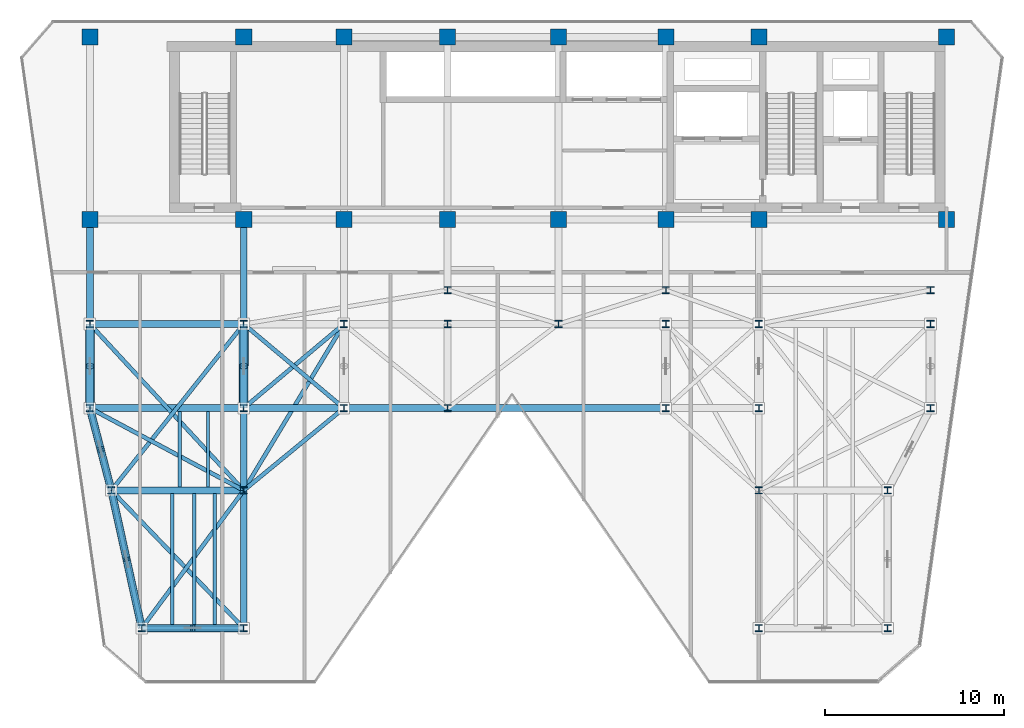
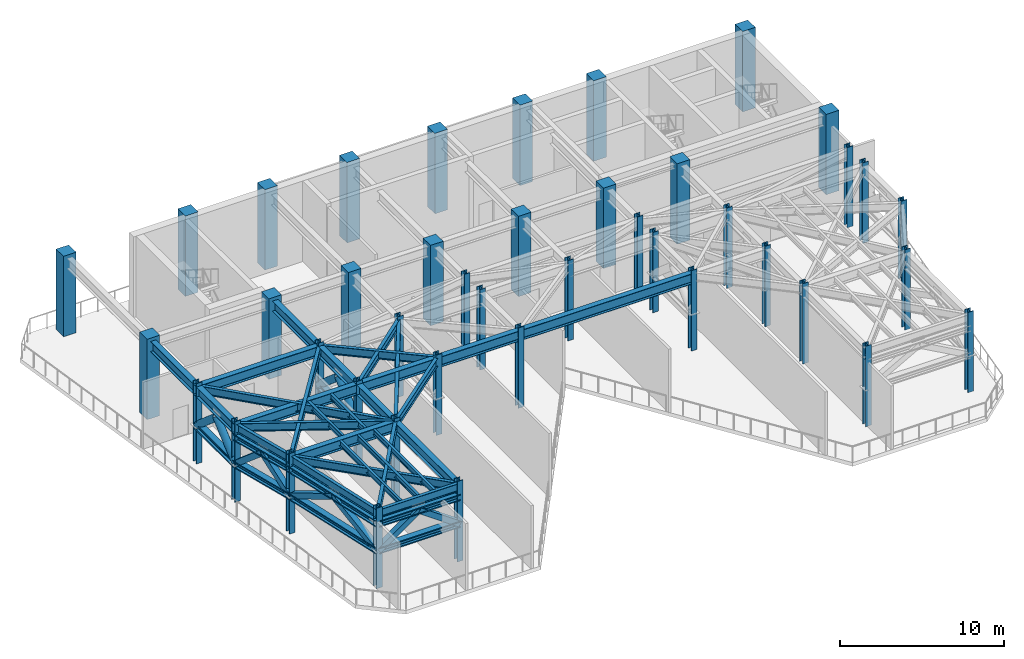
# One storey, part 1 of 12: 42 columns, 29 beams, 18 members.
"""IFC4 building model written with IfcOpenShell, lengths in metres."""

import ifcopenshell
import ifcopenshell.guid

model = None  # the IFC model being written
_history = None  # IfcOwnerHistory: only IFC2X3 demands one
_inside = {}  # id of a spatial element -> (the spatial element, [elements in it])
_under = {}  # id of a project, library or spatial element -> (it, [spatial elements below it])
_declared = {}  # id of a project -> (the project, [libraries it declares])
_typed = {}  # id of a type object -> (the type object, [elements of that type])
_made_of = {}  # id of a material, layer set ... -> (it, [elements and type objects made of it])


def new_model(schema):
    """Start an empty IFC model of exactly this schema.

    Asked for "IFC4X3", IfcOpenShell would pick the latest addendum, in which some entities
    have other attributes; the version numbers below select the first issue.
    IFC2X3 requires an IfcOwnerHistory on every rooted entity: one is made here for all.
    """
    global model, _history
    if schema == "IFC4X3":
        model = ifcopenshell.file(schema_version=(4, 3, 0, 0))
    else:
        model = ifcopenshell.file(schema=schema)
    _inside.clear()
    _under.clear()
    _declared.clear()
    _typed.clear()
    _made_of.clear()
    _history = None
    if model.schema == "IFC2X3":
        org = make("IfcOrganization", Name="unknown")
        user = make(
            "IfcPersonAndOrganization",
            ThePerson=make("IfcPerson", FamilyName="unknown"),
            TheOrganization=org,
        )
        app = make(
            "IfcApplication",
            ApplicationDeveloper=org,
            Version="unknown",
            ApplicationFullName="unknown",
            ApplicationIdentifier="unknown",
        )
        _history = make(
            "IfcOwnerHistory",
            OwningUser=user,
            OwningApplication=app,
            ChangeAction="ADDED",
            CreationDate=0,
        )
    return model


def make(cls, **values):
    """One entity of the class cls with the attributes given. An attribute that is None is left unset."""
    return model.create_entity(
        cls, **{name: value for name, value in values.items() if value is not None}
    )


def rooted(cls, **values):
    """An entity with a GlobalId (a new one), such as an element, a storey or a relation."""
    return make(cls, GlobalId=ifcopenshell.guid.new(), OwnerHistory=_history, **values)


def si_unit(unit_type, name, prefix=None):
    """IfcSIUnit, for example si_unit("LENGTHUNIT", "METRE", prefix="MILLI")."""
    return make("IfcSIUnit", UnitType=unit_type, Prefix=prefix, Name=name)


def assignment(units):
    """IfcUnitAssignment: the units of a project."""
    return None if units is None else make("IfcUnitAssignment", Units=units)


def point(xyz):
    """IfcCartesianPoint."""
    return None if xyz is None else make("IfcCartesianPoint", Coordinates=xyz)


def direction(xyz):
    """IfcDirection."""
    return None if xyz is None else make("IfcDirection", DirectionRatios=xyz)


def frame(location, z_axis=None, x_axis=None):
    """IfcAxis2Placement3D, a coordinate frame: its origin and axes. An axis left out is left unset."""
    return make(
        "IfcAxis2Placement3D",
        Location=point(location),
        Axis=direction(z_axis),
        RefDirection=direction(x_axis),
    )


def frame_2d(location, x_axis=None):
    """IfcAxis2Placement2D, a coordinate frame in the plane: its origin and x axis."""
    return make(
        "IfcAxis2Placement2D", Location=point(location), RefDirection=direction(x_axis)
    )


def origin():
    """The frame at (0, 0, 0) with its axes left unset."""
    return frame((0.0, 0.0, 0.0))


def origin_2d():
    """The frame at (0, 0) in the plane with its x axis left unset."""
    return frame_2d((0.0, 0.0))


def place(relative_to, where):
    """IfcLocalPlacement: puts the frame where relative to a parent placement (None: the world)."""
    return make(
        "IfcLocalPlacement", PlacementRelTo=relative_to, RelativePlacement=where
    )


def context(
    kind, dimensions, precision=None, world=None, true_north=None, identifier=None
):
    """IfcGeometricRepresentationContext, for example the 3D "Model" context."""
    return make(
        "IfcGeometricRepresentationContext",
        ContextIdentifier=identifier,
        ContextType=kind,
        CoordinateSpaceDimension=dimensions,
        Precision=precision,
        WorldCoordinateSystem=world,
        TrueNorth=true_north,
    )


def subcontext(parent, identifier, kind, view, scale=None):
    """IfcGeometricRepresentationSubContext, for example "Body" below "Model"."""
    return make(
        "IfcGeometricRepresentationSubContext",
        ContextIdentifier=identifier,
        ContextType=kind,
        ParentContext=parent,
        TargetScale=scale,
        TargetView=view,
    )


def project(units=None, contexts=None):
    """IfcProject with its units and contexts."""
    return rooted(
        "IfcProject",
        Name="project",
        RepresentationContexts=contexts,
        UnitsInContext=assignment(units),
    )


def spatial(cls, under=None, at=None, **own):
    """A site, building, storey or space (cls), placed at a placement, below another one or the project."""
    s = rooted(cls, ObjectPlacement=at, **own)
    if under is not None:
        _under.setdefault(under.id(), (under, []))[1].append(s)
    return s


def profile(cls, at=None, kind="AREA", **sizes):
    """A parametric profile (cls). Its sizes go by their IFC names, for example OverallWidth=200.0."""
    return make(cls, ProfileType=kind, Position=at, **sizes)


def rectangle(**sizes):
    """IfcRectangleProfileDef."""
    return profile("IfcRectangleProfileDef", **sizes)


def hollow_rectangle(**sizes):
    """IfcRectangleHollowProfileDef."""
    return profile("IfcRectangleHollowProfileDef", **sizes)


def hollow_circle(**sizes):
    """IfcCircleHollowProfileDef."""
    return profile("IfcCircleHollowProfileDef", **sizes)


def i_section(**sizes):
    """IfcIShapeProfileDef."""
    return profile("IfcIShapeProfileDef", **sizes)


def extrude(swept, where, along, depth):
    """IfcExtrudedAreaSolid: the profile swept, set in the frame where, extruded along a direction by depth."""
    return make(
        "IfcExtrudedAreaSolid",
        SweptArea=swept,
        Position=where,
        ExtrudedDirection=direction(along),
        Depth=depth,
    )


def shape(context_of_items, identifier, shape_type, items):
    """IfcShapeRepresentation: the items that make up one representation, for example the "Body"."""
    return make(
        "IfcShapeRepresentation",
        ContextOfItems=context_of_items,
        RepresentationIdentifier=identifier,
        RepresentationType=shape_type,
        Items=items,
    )


def material(Name=None, Category=None):
    """IfcMaterial."""
    return make("IfcMaterial", Name=Name, Category=Category)


def material_profile(
    of_material, cross_section, Name=None, Category=None, Priority=None
):
    """IfcMaterialProfile: a cross section and its material."""
    return make(
        "IfcMaterialProfile",
        Name=Name,
        Material=of_material,
        Profile=cross_section,
        Priority=Priority,
        Category=Category,
    )


def profile_set(profiles, Name=None, composite=None):
    """IfcMaterialProfileSet."""
    return make(
        "IfcMaterialProfileSet",
        Name=Name,
        MaterialProfiles=profiles,
        CompositeProfile=composite,
    )


def made_of(thing, what):
    """Note that an element or type object is made of a material, layer set ...; save() writes the relation."""
    if what is not None:
        _made_of.setdefault(what.id(), (what, []))[1].append(thing)
    return thing


def type_object(cls, material=None, **own):
    """A type object (cls), such as IfcWallType, which elements share."""
    return made_of(rooted(cls, **own), material)


def element(
    cls,
    number,
    at=None,
    inside=None,
    cuts=None,
    type_object=None,
    material=None,
    context=None,
    identifier="Body",
    shape_type=None,
    held_by="IfcProductDefinitionShape",
    body=None,
    shapes=None,
    **own,
):
    """One element of the class cls, such as IfcWall. Its Tag is "e" and its number.

    at: its placement. inside: the storey or other place that contains it. cuts: it is an
    opening in that element (IfcRelVoidsElement). A single representation is given by context,
    identifier, shape_type and body (its items); several are given by shapes. held_by: the class
    of the entity that holds the representations. save() writes the other relations.
    """
    e = rooted(cls, Tag="e%d" % number, ObjectPlacement=at, **own)
    if body is not None:
        shapes = [shape(context, identifier, shape_type, body)]
    if shapes is not None:
        e.Representation = make(held_by, Representations=shapes)
    if inside is not None:
        _inside.setdefault(inside.id(), (inside, []))[1].append(e)
    if cuts is not None:
        rooted(
            "IfcRelVoidsElement", RelatingBuildingElement=cuts, RelatedOpeningElement=e
        )
    if type_object is not None:
        _typed.setdefault(type_object.id(), (type_object, []))[1].append(e)
    return made_of(e, material)


def aggregate(whole, parts):
    """IfcRelAggregates: a whole, such as a stair, and the parts it consists of."""
    return rooted("IfcRelAggregates", RelatingObject=whole, RelatedObjects=parts)


def save(model, path):
    """Write the relations noted so far, then the file.

    IfcRelAggregates (storeys below a building ...), IfcRelContainedInSpatialStructure (elements
    in a storey), IfcRelDefinesByType, IfcRelAssociatesMaterial and IfcRelDeclares: one each for
    every whole, place, type object, material and project.
    """
    for whole, parts in _under.values():
        aggregate(whole, parts)
    for where, things in _inside.values():
        rooted(
            "IfcRelContainedInSpatialStructure",
            RelatedElements=things,
            RelatingStructure=where,
        )
    for kind, things in _typed.values():
        rooted("IfcRelDefinesByType", RelatedObjects=things, RelatingType=kind)
    for what, things in _made_of.values():
        rooted("IfcRelAssociatesMaterial", RelatedObjects=things, RelatingMaterial=what)
    for by, libraries in _declared.values():
        rooted("IfcRelDeclares", RelatingContext=by, RelatedDefinitions=libraries)
    model.write(path)


model = new_model("IFC4")

# Units and contexts
model_context = context("Model", 3, precision=1e-05, world=origin(), true_north=direction((0.0, 1.0)))
body_context = subcontext(model_context, "Body", "Model", "MODEL_VIEW")
ifc_project = project(units=[si_unit("LENGTHUNIT", "METRE"), si_unit("AREAUNIT", "SQUARE_METRE"), si_unit("VOLUMEUNIT", "CUBIC_METRE"), si_unit("PLANEANGLEUNIT", "RADIAN"), si_unit("MASSUNIT", "GRAM", prefix="KILO")], contexts=[model_context])

# Site, building, storey
site_placement = place(None, origin())
site = spatial("IfcSite", under=ifc_project, at=site_placement, CompositionType="ELEMENT")
building_placement = place(site_placement, origin())
building = spatial("IfcBuilding", under=site, at=building_placement, Name="Kravanh Interchange Tower", CompositionType="ELEMENT")
storey_placement = place(building_placement, frame((0.0, 0.0, 225.0)))
storey = spatial("IfcBuildingStorey", under=building, at=storey_placement, Name="L54", CompositionType="ELEMENT", Elevation=225.0)

# Columns
ifc_material_1 = material(Name="Concrete C60/75", Category="concrete")
ifc_material_profile_1 = material_profile(ifc_material_1, rectangle(XDim=0.89990234375, YDim=0.89990234375, at=origin_2d()), Name="RC900X900")
ifc_profile_set_1 = profile_set([ifc_material_profile_1], Name="Concrete C60/75")
column_type_1 = type_object("IfcColumnType", Name="Column RC900X900 Concrete C60/75", PredefinedType="COLUMN", material=ifc_profile_set_1)
for number, where, z_axis, x_axis, name in (
    (1, (66.5, 47.550048828125, 0.0), (0.0, 0.0, 1.0), (1.0, 0.0, 0.0), "L54 Column CS01"),
    (2, (56.0, 47.550048828125, 0.0), (0.0, 0.0, 1.0), (1.0, 0.0, 0.0), "L54 Column CS02"),
    (3, (66.5, 37.35009765625, 0.0), (0.0, 0.0, 1.0), (1.0, 0.0, 0.0), "L54 Column CS03"),
    (4, (56.0, 37.35009765625, 0.0), (0.0, 0.0, 1.0), (1.0, 0.0, 0.0), "L54 Column CS04"),
    (5, (50.800048828125, 47.550048828125, 0.0), (0.0, 0.0, 1.0), (1.0, 0.0, 0.0), "L54 Column CS05"),
    (6, (50.800048828125, 37.35009765625, 0.0), (0.0, 0.0, 1.0), (1.0, 0.0, 0.0), "L54 Column CS06"),
    (7, (44.800048828125, 37.35009765625, 0.0), (0.0, 0.0, 1.0), (1.0, 0.0, 0.0), "L54 Column CS07"),
    (8, (44.800048828125, 47.550048828125, 0.0), (0.0, 0.0, 1.0), (1.0, 0.0, 0.0), "L54 Column CS08"),
    (9, (38.60009765625, 37.35009765625, 0.0), (0.0, 0.0, 1.0), (1.0, 0.0, 0.0), "L54 Column CS09"),
    (10, (38.60009765625, 47.550048828125, 0.0), (0.0, 0.0, 1.0), (1.0, 0.0, 0.0), "L54 Column CS10"),
    (11, (32.800048828125, 37.35009765625, 0.0), (0.0, 0.0, 1.0), (1.0, 0.0, 0.0), "L54 Column CS11"),
    (12, (32.800048828125, 47.550048828125, 0.0), (0.0, 0.0, 1.0), (1.0, 0.0, 0.0), "L54 Column CS12"),
    (13, (27.199951171875, 37.35009765625, 0.0), (0.0, 0.0, 1.0), (1.0, 0.0, 0.0), "L54 Column CS13"),
    (14, (27.199951171875, 47.550048828125, 0.0), (0.0, 0.0, 1.0), (1.0, 0.0, 0.0), "L54 Column CS14"),
    (15, (18.60009765625, 37.35009765625, 0.0), (0.0, 0.0, 1.0), (1.0, 0.0, 0.0), "L54 Column CS17"),
    (16, (18.60009765625, 47.550048828125, 0.0), (0.0, 0.0, 1.0), (1.0, 0.0, 0.0), "L54 Column CS18"),
):
    element("IfcColumn", number, at=place(storey_placement, frame(where, z_axis=z_axis, x_axis=x_axis)), inside=storey, type_object=column_type_1, Name=name, PredefinedType="COLUMN", context=body_context, shape_type="SweptSolid", body=[
        extrude(rectangle(XDim=0.89990234375, YDim=0.89990234375, at=origin_2d()), origin(), (0.0, 0.0, 1.0), 6.0),
    ])
ifc_material_2 = material(Name="Structural Steel S355", Category="steel")
ifc_material_profile_2 = material_profile(ifc_material_2, i_section(OverallWidth=0.40087890625, OverallDepth=0.39892578125, WebThickness=0.02490234375, FlangeThickness=0.03955078125, FilletRadius=0.030029296875, at=origin_2d()), Name="W14X211")
ifc_profile_set_2 = profile_set([ifc_material_profile_2], Name="Structural Steel S355")
column_type_2 = type_object("IfcColumnType", Name="Column W14X211 Structural Steel S355", PredefinedType="COLUMN", material=ifc_profile_set_2)
for number, where, z_axis, x_axis, name in (
    (17, (21.5, 14.5, 0.0), (0.0, 0.0, 1.0), (1.0, 0.0, 0.0), "L54 Column CZ3_1"),
    (18, (18.60009765625, 26.800048828125, 0.0), (0.0, 0.0, 1.0), (1.0, 0.0, 0.0), "L54 Column CZ3_11"),
    (19, (27.199951171875, 26.800048828125, 0.0), (0.0, 0.0, 1.0), (1.0, 0.0, 0.0), "L54 Column CZ3_12"),
    (20, (32.800048828125, 26.800048828125, 0.0), (0.0, 0.0, 1.0), (1.0, 0.0, 0.0), "L54 Column CZ3_13"),
    (21, (38.60009765625, 26.800048828125, 0.0), (0.0, 0.0, 1.0), (1.0, 0.0, 0.0), "L54 Column CZ3_13B"),
    (22, (50.800048828125, 26.800048828125, 0.0), (0.0, 0.0, 1.0), (1.0, 0.0, 0.0), "L54 Column CZ3_14"),
    (23, (56.0, 26.800048828125, 0.0), (0.0, 0.0, 1.0), (1.0, 0.0, 0.0), "L54 Column CZ3_15"),
    (24, (65.60009765625, 26.800048828125, 0.0), (0.0, 0.0, 1.0), (1.0, 0.0, 0.0), "L54 Column CZ3_16"),
    (25, (18.60009765625, 31.5, 0.0), (0.0, 0.0, 1.0), (1.0, 0.0, 0.0), "L54 Column CZ3_17"),
    (26, (27.199951171875, 31.5, 0.0), (0.0, 0.0, 1.0), (1.0, 0.0, 0.0), "L54 Column CZ3_18"),
    (27, (32.800048828125, 31.5, 0.0), (0.0, 0.0, 1.0), (1.0, 0.0, 0.0), "L54 Column CZ3_19"),
    (28, (27.199951171875, 14.5, 0.0), (0.0, 0.0, 1.0), (1.0, 0.0, 0.0), "L54 Column CZ3_2"),
    (29, (38.60009765625, 31.5, 0.0), (0.0, 0.0, 1.0), (1.0, 0.0, 0.0), "L54 Column CZ3_20"),
    (30, (44.800048828125, 31.5, 0.0), (0.0, 0.0, 1.0), (1.0, 0.0, 0.0), "L54 Column CZ3_21"),
    (31, (50.800048828125, 31.5, 0.0), (0.0, 0.0, 1.0), (1.0, 0.0, 0.0), "L54 Column CZ3_22"),
    (32, (56.0, 31.5, 0.0), (0.0, 0.0, 1.0), (1.0, 0.0, 0.0), "L54 Column CZ3_23"),
    (33, (65.60009765625, 31.5, 0.0), (0.0, 0.0, 1.0), (1.0, 0.0, 0.0), "L54 Column CZ3_24"),
    (34, (56.0, 14.5, 0.0), (0.0, 0.0, 1.0), (1.0, 0.0, 0.0), "L54 Column CZ3_3"),
    (35, (63.199951171875, 14.5, 0.0), (0.0, 0.0, 1.0), (1.0, 0.0, 0.0), "L54 Column CZ3_4"),
    (36, (19.800048828125, 22.199951171875, 0.0), (0.0, 0.0, 1.0), (1.0, 0.0, 0.0), "L54 Column CZ3_5"),
    (37, (27.199951171875, 22.199951171875, 0.0), (0.0, 0.0, 1.0), (1.0, 0.0, 0.0), "L54 Column CZ3_6"),
    (38, (56.0, 22.199951171875, 0.0), (0.0, 0.0, 1.0), (1.0, 0.0, 0.0), "L54 Column CZ3_8"),
    (39, (63.199951171875, 22.199951171875, 0.0), (0.0, 0.0, 1.0), (1.0, 0.0, 0.0), "L54 Column CZ3_9"),
    (40, (38.60009765625, 33.39990234375, 0.0), (0.0, 0.0, 1.0), (1.0, 0.0, 0.0), "L54 Column CZ3_M1"),
    (41, (50.800048828125, 33.39990234375, 0.0), (0.0, 0.0, 1.0), (1.0, 0.0, 0.0), "L54 Column CZ3_M2"),
    (42, (65.60009765625, 33.39990234375, 0.0), (0.0, 0.0, 1.0), (1.0, 0.0, 0.0), "L54 Column CZ3_M3"),
):
    element("IfcColumn", number, at=place(storey_placement, frame(where, z_axis=z_axis, x_axis=x_axis)), inside=storey, type_object=column_type_2, Name=name, PredefinedType="COLUMN", context=body_context, shape_type="SweptSolid", body=[
        extrude(i_section(OverallWidth=0.40087890625, OverallDepth=0.39892578125, WebThickness=0.02490234375, FlangeThickness=0.03955078125, FilletRadius=0.030029296875, at=origin_2d()), origin(), (0.0, 0.0, 1.0), 6.0),
    ])

# Members
ifc_material_3 = material(Name="Structural Steel S450", Category="steel")
ifc_material_profile_3 = material_profile(ifc_material_3, i_section(OverallWidth=0.424072265625, OverallDepth=0.47412109375, WebThickness=0.047607421875, FlangeThickness=0.0771484375, FilletRadius=0.030029296875, at=origin_2d()), Name="W14X426")
ifc_profile_set_3 = profile_set([ifc_material_profile_3], Name="Structural Steel S450")
member_type_1 = type_object("IfcMemberType", Name="Belt Truss Chord W14X426 Structural Steel S450", PredefinedType="CHORD", material=ifc_profile_set_3)
for number, where, z_axis, x_axis, name in (
    (43, (21.5, 14.5, 2.75), (1.0, 0.0, 0.0), (0.0, 1.0, 0.0), "L54 BELT TRUSS BOTTOM CHORD 1"),
    (44, (21.5, 14.5, 4.757080078125), (1.0, 0.0, 0.0), (0.0, 1.0, 0.0), "L54 BELT TRUSS TOP CHORD 1"),
):
    element("IfcMember", number, at=place(storey_placement, frame(where, z_axis=z_axis, x_axis=x_axis)), inside=storey, type_object=member_type_1, Name=name, PredefinedType="CHORD", context=body_context, shape_type="SweptSolid", body=[
        extrude(i_section(OverallWidth=0.424072265625, OverallDepth=0.47412109375, WebThickness=0.047607421875, FlangeThickness=0.0771484375, FilletRadius=0.030029296875, at=origin_2d()), origin(), (0.0, 0.0, 1.0), 5.699951171875),
    ])
for number, where, z_axis, x_axis, name in (
    (45, (21.5, 14.5, 2.75), (-0.215582892261, 0.976485543449, 0.0), (-0.976485543449, -0.215582892261, 0.0), "L54 BELT TRUSS BOTTOM CHORD 3"),
    (46, (21.5, 14.5, 4.757080078125), (-0.215582892261, 0.976485543449, 0.0), (-0.976485543449, -0.215582892261, 0.0), "L54 BELT TRUSS TOP CHORD 3"),
):
    element("IfcMember", number, at=place(storey_placement, frame(where, z_axis=z_axis, x_axis=x_axis)), inside=storey, type_object=member_type_1, Name=name, PredefinedType="CHORD", context=body_context, shape_type="SweptSolid", body=[
        extrude(i_section(OverallWidth=0.424072265625, OverallDepth=0.47412109375, WebThickness=0.047607421875, FlangeThickness=0.0771484375, FilletRadius=0.030029296875, at=origin_2d()), origin(), (0.0, 0.0, 1.0), 7.88525390625),
    ])
for number, where, z_axis, x_axis, name in (
    (47, (19.800048828125, 22.199951171875, 2.75), (-0.252407263364, 0.967621089787, 0.0), (-0.967621089787, -0.252407263364, 0.0), "L54 BELT TRUSS BOTTOM CHORD 4"),
    (48, (19.800048828125, 22.199951171875, 4.757080078125), (-0.252407263364, 0.967621089787, 0.0), (-0.967621089787, -0.252407263364, 0.0), "L54 BELT TRUSS TOP CHORD 4"),
):
    element("IfcMember", number, at=place(storey_placement, frame(where, z_axis=z_axis, x_axis=x_axis)), inside=storey, type_object=member_type_1, Name=name, PredefinedType="CHORD", context=body_context, shape_type="SweptSolid", body=[
        extrude(i_section(OverallWidth=0.424072265625, OverallDepth=0.47412109375, WebThickness=0.047607421875, FlangeThickness=0.0771484375, FilletRadius=0.030029296875, at=origin_2d()), origin(), (0.0, 0.0, 1.0), 4.75390625),
    ])
ifc_material_4 = material(Name="Structural Steel S450", Category="steel")
ifc_material_profile_4 = material_profile(ifc_material_4, hollow_rectangle(XDim=0.39990234375, YDim=0.39990234375, WallThickness=0.01611328125, at=origin_2d()), Name="HSS400X400X16")
ifc_profile_set_4 = profile_set([ifc_material_profile_4], Name="Structural Steel S450")
member_type_2 = type_object("IfcMemberType", Name="Belt Truss Diagonal HSS400X400X16 Structural Steel S450", PredefinedType="BRACE", material=ifc_profile_set_4)
member_1_placement = place(storey_placement, frame((21.5, 14.5, 2.75), z_axis=(0.817609818734, 0.0, 0.575772684582), x_axis=(0.0, 1.0, 0.0)))
element("IfcMember", 49, at=member_1_placement, inside=storey, type_object=member_type_2, Name="L54 BELT TRUSS DIAGONAL 1A", PredefinedType="BRACE", context=body_context, shape_type="SweptSolid", body=[
    extrude(hollow_rectangle(XDim=0.39990234375, YDim=0.39990234375, WallThickness=0.01611328125, at=origin_2d()), origin(), (0.0, 0.0, 1.0), 3.48583984375),
])
member_2_placement = place(storey_placement, frame((27.199951171875, 14.5, 2.75), z_axis=(-0.81758659854, 0.0, 0.575805656352), x_axis=(0.0, -1.0, 0.0)))
element("IfcMember", 50, at=member_2_placement, inside=storey, type_object=member_type_2, Name="L54 BELT TRUSS DIAGONAL 1B", PredefinedType="BRACE", context=body_context, shape_type="SweptSolid", body=[
    extrude(hollow_rectangle(XDim=0.39990234375, YDim=0.39990234375, WallThickness=0.01611328125, at=origin_2d()), origin(), (0.0, 0.0, 1.0), 3.485595703125),
])
member_3_placement = place(storey_placement, frame((21.5, 14.5, 2.75), z_axis=(-0.192143557416, 0.870219385539, 0.453650828695), x_axis=(-0.976480464563, -0.215605895853, 0.0)))
element("IfcMember", 51, at=member_3_placement, inside=storey, type_object=member_type_2, Name="L54 BELT TRUSS DIAGONAL 3A", PredefinedType="BRACE", context=body_context, shape_type="SweptSolid", body=[
    extrude(hollow_rectangle(XDim=0.39990234375, YDim=0.39990234375, WallThickness=0.01611328125, at=origin_2d()), origin(), (0.0, 0.0, 1.0), 4.42431640625),
])
member_4_placement = place(storey_placement, frame((19.800048828125, 22.199951171875, 2.75), z_axis=(0.192099636716, -0.870215217286, 0.453677424143), x_axis=(0.976490622167, 0.215559886852, 0.0)))
element("IfcMember", 52, at=member_4_placement, inside=storey, type_object=member_type_2, Name="L54 BELT TRUSS DIAGONAL 3B", PredefinedType="BRACE", context=body_context, shape_type="SweptSolid", body=[
    extrude(hollow_rectangle(XDim=0.39990234375, YDim=0.39990234375, WallThickness=0.01611328125, at=origin_2d()), origin(), (0.0, 0.0, 1.0), 4.424072265625),
])
for number, where, z_axis, x_axis, name in (
    (53, (19.800048828125, 22.199951171875, 2.75), (-0.192891522681, 0.739312870292, 0.64514288363), (-0.967608546215, -0.252455345143, 0.0), "L54 BELT TRUSS DIAGONAL 4A"),
    (54, (18.60009765625, 26.800048828125, 2.75), (0.192815965807, -0.739324059367, 0.645152647496), (0.967633631295, 0.252359179715, 0.0), "L54 BELT TRUSS DIAGONAL 4B"),
):
    element("IfcMember", number, at=place(storey_placement, frame(where, z_axis=z_axis, x_axis=x_axis)), inside=storey, type_object=member_type_2, Name=name, PredefinedType="BRACE", context=body_context, shape_type="SweptSolid", body=[
        extrude(hollow_rectangle(XDim=0.39990234375, YDim=0.39990234375, WallThickness=0.01611328125, at=origin_2d()), origin(), (0.0, 0.0, 1.0), 3.111083984375),
    ])

# Beams
ifc_material_5 = material(Name="Structural Steel S355", Category="steel")
ifc_material_profile_5 = material_profile(ifc_material_5, i_section(OverallWidth=0.381103515625, OverallDepth=0.77294921875, WebThickness=0.0166015625, FlangeThickness=0.027099609375, FilletRadius=0.02490234375, at=origin_2d()), Name="W30X173")
ifc_profile_set_5 = profile_set([ifc_material_profile_5], Name="Structural Steel S355")
beam_type_1 = type_object("IfcBeamType", Name="Floor Beam W30X173 Structural Steel S355", PredefinedType="BEAM", material=ifc_profile_set_5)
for number, where, z_axis, x_axis, name in (
    (55, (27.199951171875, 37.35009765625, 5.363525390625), (0.0, -1.0, 0.0), (1.0, 0.0, 0.0), "L54 Primary Floor Girder 24"),
    (56, (18.60009765625, 37.35009765625, 5.363525390625), (0.0, -1.0, 0.0), (1.0, 0.0, 0.0), "L54 Primary Floor Girder 28"),
):
    element("IfcBeam", number, at=place(storey_placement, frame(where, z_axis=z_axis, x_axis=x_axis)), inside=storey, type_object=beam_type_1, Name=name, PredefinedType="BEAM", context=body_context, shape_type="SweptSolid", body=[
        extrude(i_section(OverallWidth=0.381103515625, OverallDepth=0.77294921875, WebThickness=0.0166015625, FlangeThickness=0.027099609375, FilletRadius=0.02490234375, at=origin_2d()), origin(), (0.0, 0.0, 1.0), 5.85009765625),
    ])
beam_1_placement = place(storey_placement, frame((18.60009765625, 26.800048828125, 5.363525390625), z_axis=(0.0, 1.0, 0.0), x_axis=(-1.0, 0.0, 0.0)))
element("IfcBeam", 57, at=beam_1_placement, inside=storey, type_object=beam_type_1, Name="L54 Primary Floor Girder 33", PredefinedType="BEAM", context=body_context, shape_type="SweptSolid", body=[
    extrude(i_section(OverallWidth=0.381103515625, OverallDepth=0.77294921875, WebThickness=0.0166015625, FlangeThickness=0.027099609375, FilletRadius=0.02490234375, at=origin_2d()), origin(), (0.0, 0.0, 1.0), 4.699951171875),
])
beam_2_placement = place(storey_placement, frame((18.60009765625, 26.800048828125, 5.363525390625), z_axis=(1.0, 0.0, 0.0), x_axis=(0.0, 1.0, 0.0)))
element("IfcBeam", 58, at=beam_2_placement, inside=storey, type_object=beam_type_1, Name="L54 Primary Floor Girder 35", PredefinedType="BEAM", context=body_context, shape_type="SweptSolid", body=[
    extrude(i_section(OverallWidth=0.381103515625, OverallDepth=0.77294921875, WebThickness=0.0166015625, FlangeThickness=0.027099609375, FilletRadius=0.02490234375, at=origin_2d()), origin(), (0.0, 0.0, 1.0), 8.599853515625),
])
beam_3_placement = place(storey_placement, frame((27.199951171875, 26.800048828125, 5.363525390625), z_axis=(0.0, -1.0, 0.0), x_axis=(1.0, 0.0, 0.0)))
element("IfcBeam", 59, at=beam_3_placement, inside=storey, type_object=beam_type_1, Name="L54 Primary Floor Girder 37", PredefinedType="BEAM", context=body_context, shape_type="SweptSolid", body=[
    extrude(i_section(OverallWidth=0.381103515625, OverallDepth=0.77294921875, WebThickness=0.0166015625, FlangeThickness=0.027099609375, FilletRadius=0.02490234375, at=origin_2d()), origin(), (0.0, 0.0, 1.0), 4.60009765625),
])
beam_4_placement = place(storey_placement, frame((27.199951171875, 26.800048828125, 5.363525390625), z_axis=(0.0, 1.0, 0.0), x_axis=(-1.0, 0.0, 0.0)))
element("IfcBeam", 60, at=beam_4_placement, inside=storey, type_object=beam_type_1, Name="L54 Primary Floor Girder 38", PredefinedType="BEAM", context=body_context, shape_type="SweptSolid", body=[
    extrude(i_section(OverallWidth=0.381103515625, OverallDepth=0.77294921875, WebThickness=0.0166015625, FlangeThickness=0.027099609375, FilletRadius=0.02490234375, at=origin_2d()), origin(), (0.0, 0.0, 1.0), 4.699951171875),
])
beam_5_placement = place(storey_placement, frame((27.199951171875, 26.800048828125, 5.363525390625), z_axis=(1.0, 0.0, 0.0), x_axis=(0.0, 1.0, 0.0)))
element("IfcBeam", 61, at=beam_5_placement, inside=storey, type_object=beam_type_1, Name="L54 Primary Floor Girder 39", PredefinedType="BEAM", context=body_context, shape_type="SweptSolid", body=[
    extrude(i_section(OverallWidth=0.381103515625, OverallDepth=0.77294921875, WebThickness=0.0166015625, FlangeThickness=0.027099609375, FilletRadius=0.02490234375, at=origin_2d()), origin(), (0.0, 0.0, 1.0), 5.60009765625),
])
beam_6_placement = place(storey_placement, frame((32.800048828125, 26.800048828125, 5.363525390625), z_axis=(1.0, 0.0, 0.0), x_axis=(0.0, 1.0, 0.0)))
element("IfcBeam", 62, at=beam_6_placement, inside=storey, type_object=beam_type_1, Name="L54 Primary Floor Girder 42", PredefinedType="BEAM", context=body_context, shape_type="SweptSolid", body=[
    extrude(i_section(OverallWidth=0.381103515625, OverallDepth=0.77294921875, WebThickness=0.0166015625, FlangeThickness=0.027099609375, FilletRadius=0.02490234375, at=origin_2d()), origin(), (0.0, 0.0, 1.0), 5.800048828125),
])
beam_7_placement = place(storey_placement, frame((38.60009765625, 26.800048828125, 5.363525390625), z_axis=(1.0, 0.0, 0.0), x_axis=(0.0, 1.0, 0.0)))
element("IfcBeam", 63, at=beam_7_placement, inside=storey, type_object=beam_type_1, Name="L54 Primary Floor Girder 48", PredefinedType="BEAM", context=body_context, shape_type="SweptSolid", body=[
    extrude(i_section(OverallWidth=0.381103515625, OverallDepth=0.77294921875, WebThickness=0.0166015625, FlangeThickness=0.027099609375, FilletRadius=0.02490234375, at=origin_2d()), origin(), (0.0, 0.0, 1.0), 12.199951171875),
])
beam_8_placement = place(storey_placement, frame((18.60009765625, 31.5, 5.363525390625), z_axis=(1.0, 0.0, 0.0), x_axis=(0.0, 1.0, 0.0)))
element("IfcBeam", 64, at=beam_8_placement, inside=storey, type_object=beam_type_1, Name="L54 Primary Floor Girder 61", PredefinedType="BEAM", context=body_context, shape_type="SweptSolid", body=[
    extrude(i_section(OverallWidth=0.381103515625, OverallDepth=0.77294921875, WebThickness=0.0166015625, FlangeThickness=0.027099609375, FilletRadius=0.02490234375, at=origin_2d()), origin(), (0.0, 0.0, 1.0), 8.599853515625),
])
beam_9_placement = place(storey_placement, frame((27.199951171875, 14.5, 5.363525390625), z_axis=(0.0, 1.0, 0.0), x_axis=(-1.0, 0.0, 0.0)))
element("IfcBeam", 65, at=beam_9_placement, inside=storey, type_object=beam_type_1, Name="L54 Primary Floor Girder 70", PredefinedType="BEAM", context=body_context, shape_type="SweptSolid", body=[
    extrude(i_section(OverallWidth=0.381103515625, OverallDepth=0.77294921875, WebThickness=0.0166015625, FlangeThickness=0.027099609375, FilletRadius=0.02490234375, at=origin_2d()), origin(), (0.0, 0.0, 1.0), 7.699951171875),
])
beam_10_placement = place(storey_placement, frame((19.800048828125, 22.199951171875, 5.363525390625), z_axis=(1.0, 0.0, 0.0), x_axis=(0.0, 1.0, 0.0)))
element("IfcBeam", 66, at=beam_10_placement, inside=storey, type_object=beam_type_1, Name="L54 Primary Floor Girder 91", PredefinedType="BEAM", context=body_context, shape_type="SweptSolid", body=[
    extrude(i_section(OverallWidth=0.381103515625, OverallDepth=0.77294921875, WebThickness=0.0166015625, FlangeThickness=0.027099609375, FilletRadius=0.02490234375, at=origin_2d()), origin(), (0.0, 0.0, 1.0), 7.39990234375),
])
ifc_material_6 = material(Name="Structural Steel S355", Category="steel")
ifc_material_profile_6 = material_profile(ifc_material_6, i_section(OverallWidth=0.177978515625, OverallDepth=0.406005859375, WebThickness=0.0078125, FlangeThickness=0.0126953125, FilletRadius=0.01611328125, at=origin_2d()), Name="W16X40")
ifc_profile_set_6 = profile_set([ifc_material_profile_6], Name="Structural Steel S355")
beam_type_2 = type_object("IfcBeamType", Name="Floor Joist W16X40 Structural Steel S355", PredefinedType="JOIST", material=ifc_profile_set_6)
for number, where, z_axis, x_axis, name in (
    (67, (23.2060546875, 14.60888671875, 5.547119140625), (0.0, 1.0, 0.0), (-1.0, 0.0, 0.0), "L54 Secondary Floor Joist 1"),
    (68, (24.43798828125, 14.60888671875, 5.547119140625), (0.0, 1.0, 0.0), (-1.0, 0.0, 0.0), "L54 Secondary Floor Joist 2"),
    (69, (25.58203125, 14.60888671875, 5.547119140625), (0.0, 1.0, 0.0), (-1.0, 0.0, 0.0), "L54 Secondary Floor Joist 3"),
):
    element("IfcBeam", number, at=place(storey_placement, frame(where, z_axis=z_axis, x_axis=x_axis)), inside=storey, type_object=beam_type_2, Name=name, PredefinedType="JOIST", context=body_context, shape_type="SweptSolid", body=[
        extrude(i_section(OverallWidth=0.177978515625, OverallDepth=0.406005859375, WebThickness=0.0078125, FlangeThickness=0.0126953125, FilletRadius=0.01611328125, at=origin_2d()), origin(), (0.0, 0.0, 1.0), 7.405517578125),
    ])
for number, where, z_axis, x_axis, name in (
    (70, (23.6220703125, 22.385498046875, 5.547119140625), (0.0, 1.0, 0.0), (-1.0, 0.0, 0.0), "L54 Secondary Floor Joist 8"),
    (71, (25.2080078125, 22.385498046875, 5.547119140625), (0.0, 1.0, 0.0), (-1.0, 0.0, 0.0), "L54 Secondary Floor Joist 9"),
):
    element("IfcBeam", number, at=place(storey_placement, frame(where, z_axis=z_axis, x_axis=x_axis)), inside=storey, type_object=beam_type_2, Name=name, PredefinedType="JOIST", context=body_context, shape_type="SweptSolid", body=[
        extrude(i_section(OverallWidth=0.177978515625, OverallDepth=0.406005859375, WebThickness=0.0078125, FlangeThickness=0.0126953125, FilletRadius=0.01611328125, at=origin_2d()), origin(), (0.0, 0.0, 1.0), 4.22900390625),
    ])
ifc_material_7 = material(Name="Structural Steel S355", Category="steel")
ifc_material_profile_7 = material_profile(ifc_material_7, i_section(OverallWidth=0.22802734375, OverallDepth=0.60791015625, WebThickness=0.01123046875, FlangeThickness=0.017333984375, FilletRadius=0.02197265625, at=origin_2d()), Name="W24X76")
ifc_profile_set_7 = profile_set([ifc_material_profile_7], Name="Structural Steel S355")
beam_type_3 = type_object("IfcBeamType", Name="Floor Spandrel W24X76 Structural Steel S355", PredefinedType="SPANDREL", material=ifc_profile_set_7)
beam_11_placement = place(storey_placement, frame((21.5, 14.5, 5.446044921875), z_axis=(1.0, 0.0, 0.0), x_axis=(0.0, 1.0, 0.0)))
element("IfcBeam", 72, at=beam_11_placement, inside=storey, type_object=beam_type_3, Name="L54 Perimeter Spandrel 30", PredefinedType="SPANDREL", context=body_context, shape_type="SweptSolid", body=[
    extrude(i_section(OverallWidth=0.22802734375, OverallDepth=0.60791015625, WebThickness=0.01123046875, FlangeThickness=0.017333984375, FilletRadius=0.02197265625, at=origin_2d()), origin(), (0.0, 0.0, 1.0), 5.699951171875),
])
beam_12_placement = place(storey_placement, frame((21.5, 14.5, 5.446044921875), z_axis=(-0.215582892261, 0.976485543449, 0.0), x_axis=(-0.976485543449, -0.215582892261, 0.0)))
element("IfcBeam", 73, at=beam_12_placement, inside=storey, type_object=beam_type_3, Name="L54 Perimeter Spandrel 31", PredefinedType="SPANDREL", context=body_context, shape_type="SweptSolid", body=[
    extrude(i_section(OverallWidth=0.22802734375, OverallDepth=0.60791015625, WebThickness=0.01123046875, FlangeThickness=0.017333984375, FilletRadius=0.02197265625, at=origin_2d()), origin(), (0.0, 0.0, 1.0), 7.88525390625),
])
beam_13_placement = place(storey_placement, frame((21.5, 14.5, 5.446044921875), z_axis=(0.59497703726, 0.803742698339, 0.0), x_axis=(-0.803742698339, 0.59497703726, 0.0)))
element("IfcBeam", 74, at=beam_13_placement, inside=storey, type_object=beam_type_3, Name="L54 Perimeter Spandrel 32", PredefinedType="SPANDREL", context=body_context, shape_type="SweptSolid", body=[
    extrude(i_section(OverallWidth=0.22802734375, OverallDepth=0.60791015625, WebThickness=0.01123046875, FlangeThickness=0.017333984375, FilletRadius=0.02197265625, at=origin_2d()), origin(), (0.0, 0.0, 1.0), 9.580078125),
])
beam_14_placement = place(storey_placement, frame((18.60009765625, 26.800048828125, 5.446044921875), z_axis=(0.252407263364, -0.967621089787, 0.0), x_axis=(0.967621089787, 0.252407263364, 0.0)))
element("IfcBeam", 75, at=beam_14_placement, inside=storey, type_object=beam_type_3, Name="L54 Perimeter Spandrel 34", PredefinedType="SPANDREL", context=body_context, shape_type="SweptSolid", body=[
    extrude(i_section(OverallWidth=0.22802734375, OverallDepth=0.60791015625, WebThickness=0.01123046875, FlangeThickness=0.017333984375, FilletRadius=0.02197265625, at=origin_2d()), origin(), (0.0, 0.0, 1.0), 4.75390625),
])
beam_15_placement = place(storey_placement, frame((18.60009765625, 26.800048828125, 5.446044921875), z_axis=(0.881777136221, -0.471666282489, 0.0), x_axis=(0.471666282489, 0.881777136221, 0.0)))
element("IfcBeam", 76, at=beam_15_placement, inside=storey, type_object=beam_type_3, Name="L54 Perimeter Spandrel 36", PredefinedType="SPANDREL", context=body_context, shape_type="SweptSolid", body=[
    extrude(i_section(OverallWidth=0.22802734375, OverallDepth=0.60791015625, WebThickness=0.01123046875, FlangeThickness=0.017333984375, FilletRadius=0.02197265625, at=origin_2d()), origin(), (0.0, 0.0, 1.0), 9.7529296875),
])
beam_16_placement = place(storey_placement, frame((27.199951171875, 26.800048828125, 5.446044921875), z_axis=(0.765983062929, 0.642860752657, 0.0), x_axis=(-0.642860752657, 0.765983062929, 0.0)))
element("IfcBeam", 77, at=beam_16_placement, inside=storey, type_object=beam_type_3, Name="L54 Perimeter Spandrel 40", PredefinedType="SPANDREL", context=body_context, shape_type="SweptSolid", body=[
    extrude(i_section(OverallWidth=0.22802734375, OverallDepth=0.60791015625, WebThickness=0.01123046875, FlangeThickness=0.017333984375, FilletRadius=0.02197265625, at=origin_2d()), origin(), (0.0, 0.0, 1.0), 7.31103515625),
])
beam_17_placement = place(storey_placement, frame((32.800048828125, 26.800048828125, 5.446044921875), z_axis=(-0.772725074305, -0.634740860147, 0.0), x_axis=(0.634740860147, -0.772725074305, 0.0)))
element("IfcBeam", 78, at=beam_17_placement, inside=storey, type_object=beam_type_3, Name="L54 Perimeter Spandrel 43", PredefinedType="SPANDREL", context=body_context, shape_type="SweptSolid", body=[
    extrude(i_section(OverallWidth=0.22802734375, OverallDepth=0.60791015625, WebThickness=0.01123046875, FlangeThickness=0.017333984375, FilletRadius=0.02197265625, at=origin_2d()), origin(), (0.0, 0.0, 1.0), 7.247314453125),
])
beam_18_placement = place(storey_placement, frame((32.800048828125, 26.800048828125, 5.446044921875), z_axis=(-0.765983062929, 0.642860752657, 0.0), x_axis=(-0.642860752657, -0.765983062929, 0.0)))
element("IfcBeam", 79, at=beam_18_placement, inside=storey, type_object=beam_type_3, Name="L54 Perimeter Spandrel 44", PredefinedType="SPANDREL", context=body_context, shape_type="SweptSolid", body=[
    extrude(i_section(OverallWidth=0.22802734375, OverallDepth=0.60791015625, WebThickness=0.01123046875, FlangeThickness=0.017333984375, FilletRadius=0.02197265625, at=origin_2d()), origin(), (0.0, 0.0, 1.0), 7.31103515625),
])
beam_19_placement = place(storey_placement, frame((18.60009765625, 31.5, 5.446044921875), z_axis=(0.678927458783, -0.734205356634, 0.0), x_axis=(0.734205356634, 0.678927458783, 0.0)))
element("IfcBeam", 80, at=beam_19_placement, inside=storey, type_object=beam_type_3, Name="L54 Perimeter Spandrel 63", PredefinedType="SPANDREL", context=body_context, shape_type="SweptSolid", body=[
    extrude(i_section(OverallWidth=0.22802734375, OverallDepth=0.60791015625, WebThickness=0.01123046875, FlangeThickness=0.017333984375, FilletRadius=0.02197265625, at=origin_2d()), origin(), (0.0, 0.0, 1.0), 12.666748046875),
])
beam_20_placement = place(storey_placement, frame((27.199951171875, 31.5, 5.446044921875), z_axis=(-0.622633646541, -0.782513477324, 0.0), x_axis=(0.782513477324, -0.622633646541, 0.0)))
element("IfcBeam", 81, at=beam_20_placement, inside=storey, type_object=beam_type_3, Name="L54 Perimeter Spandrel 66", PredefinedType="SPANDREL", context=body_context, shape_type="SweptSolid", body=[
    extrude(i_section(OverallWidth=0.22802734375, OverallDepth=0.60791015625, WebThickness=0.01123046875, FlangeThickness=0.017333984375, FilletRadius=0.02197265625, at=origin_2d()), origin(), (0.0, 0.0, 1.0), 11.884765625),
])
beam_21_placement = place(storey_placement, frame((32.800048828125, 31.5, 5.446044921875), z_axis=(-0.515854375109, -0.856676288735, 0.0), x_axis=(0.856676288735, -0.515854375109, 0.0)))
element("IfcBeam", 82, at=beam_21_placement, inside=storey, type_object=beam_type_3, Name="L54 Perimeter Spandrel 69", PredefinedType="SPANDREL", context=body_context, shape_type="SweptSolid", body=[
    extrude(i_section(OverallWidth=0.22802734375, OverallDepth=0.60791015625, WebThickness=0.01123046875, FlangeThickness=0.017333984375, FilletRadius=0.02197265625, at=origin_2d()), origin(), (0.0, 0.0, 1.0), 10.85595703125),
])
beam_22_placement = place(storey_placement, frame((27.199951171875, 14.5, 5.446044921875), z_axis=(-0.692919091225, 0.721015348669, 0.0), x_axis=(-0.721015348669, -0.692919091225, 0.0)))
element("IfcBeam", 83, at=beam_22_placement, inside=storey, type_object=beam_type_3, Name="L54 Perimeter Spandrel 71", PredefinedType="SPANDREL", context=body_context, shape_type="SweptSolid", body=[
    extrude(i_section(OverallWidth=0.22802734375, OverallDepth=0.60791015625, WebThickness=0.01123046875, FlangeThickness=0.017333984375, FilletRadius=0.02197265625, at=origin_2d()), origin(), (0.0, 0.0, 1.0), 10.67919921875),
])

# Members
ifc_material_8 = material(Name="Structural Steel S450", Category="steel")
ifc_material_profile_8 = material_profile(ifc_material_8, i_section(OverallWidth=0.431884765625, OverallDepth=0.498046875, WebThickness=0.0556640625, FlangeThickness=0.0888671875, FilletRadius=0.030029296875, at=origin_2d()), Name="W14X500")
ifc_profile_set_8 = profile_set([ifc_material_profile_8], Name="Structural Steel S450")
member_type_3 = type_object("IfcMemberType", Name="Outrigger Truss Chord W14X500 Structural Steel S450", PredefinedType="CHORD", material=ifc_profile_set_8)
for number, where, z_axis, x_axis, name in (
    (84, (18.60009765625, 31.5, 2.75), (0.0, -1.0, 0.0), (1.0, 0.0, 0.0), "L54 OUTRIGGER TRUSS BOTTOM CHORD 1"),
    (85, (27.199951171875, 31.5, 2.75), (0.0, -1.0, 0.0), (1.0, 0.0, 0.0), "L54 OUTRIGGER TRUSS BOTTOM CHORD 2"),
):
    element("IfcMember", number, at=place(storey_placement, frame(where, z_axis=z_axis, x_axis=x_axis)), inside=storey, type_object=member_type_3, Name=name, PredefinedType="CHORD", context=body_context, shape_type="SweptSolid", body=[
        extrude(i_section(OverallWidth=0.431884765625, OverallDepth=0.498046875, WebThickness=0.0556640625, FlangeThickness=0.0888671875, FilletRadius=0.030029296875, at=origin_2d()), origin(), (0.0, 0.0, 1.0), 4.699951171875),
    ])
ifc_material_9 = material(Name="Structural Steel S450", Category="steel")
ifc_material_profile_9 = material_profile(ifc_material_9, hollow_circle(Radius=0.25390625, WallThickness=0.02001953125, at=origin_2d()), Name="CHS508X20")
ifc_profile_set_9 = profile_set([ifc_material_profile_9], Name="Structural Steel S450")
member_type_4 = type_object("IfcMemberType", Name="Outrigger Truss Diagonal CHS508X20 Structural Steel S450", PredefinedType="USERDEFINED", material=ifc_profile_set_9)
member_5_placement = place(storey_placement, frame((18.60009765625, 31.5, 2.75), z_axis=(0.0, -0.760420816417, 0.649430659855), x_axis=(1.0, 0.0, 0.0)))
element("IfcMember", 86, at=member_5_placement, inside=storey, type_object=member_type_4, Name="L54 OUTRIGGER TRUSS DIAGONAL 1A", ObjectType="OUTRIGGER", PredefinedType="USERDEFINED", context=body_context, shape_type="SweptSolid", body=[
    extrude(hollow_circle(Radius=0.25390625, WallThickness=0.02001953125, at=origin_2d()), origin(), (0.0, 0.0, 1.0), 3.090576171875),
])
member_6_placement = place(storey_placement, frame((18.60009765625, 26.800048828125, 2.75), z_axis=(0.0, 0.760387495814, 0.649469673048), x_axis=(-1.0, 0.0, 0.0)))
element("IfcMember", 87, at=member_6_placement, inside=storey, type_object=member_type_4, Name="L54 OUTRIGGER TRUSS DIAGONAL 1B", ObjectType="OUTRIGGER", PredefinedType="USERDEFINED", context=body_context, shape_type="SweptSolid", body=[
    extrude(hollow_circle(Radius=0.25390625, WallThickness=0.02001953125, at=origin_2d()), origin(), (0.0, 0.0, 1.0), 3.09033203125),
])
member_7_placement = place(storey_placement, frame((27.199951171875, 31.5, 2.75), z_axis=(0.0, -0.760420816417, 0.649430659855), x_axis=(1.0, 0.0, 0.0)))
element("IfcMember", 88, at=member_7_placement, inside=storey, type_object=member_type_4, Name="L54 OUTRIGGER TRUSS DIAGONAL 2A", ObjectType="OUTRIGGER", PredefinedType="USERDEFINED", context=body_context, shape_type="SweptSolid", body=[
    extrude(hollow_circle(Radius=0.25390625, WallThickness=0.02001953125, at=origin_2d()), origin(), (0.0, 0.0, 1.0), 3.090576171875),
])
member_8_placement = place(storey_placement, frame((27.199951171875, 26.800048828125, 2.75), z_axis=(0.0, 0.760387495814, 0.649469673048), x_axis=(-1.0, 0.0, 0.0)))
element("IfcMember", 89, at=member_8_placement, inside=storey, type_object=member_type_4, Name="L54 OUTRIGGER TRUSS DIAGONAL 2B", ObjectType="OUTRIGGER", PredefinedType="USERDEFINED", context=body_context, shape_type="SweptSolid", body=[
    extrude(hollow_circle(Radius=0.25390625, WallThickness=0.02001953125, at=origin_2d()), origin(), (0.0, 0.0, 1.0), 3.09033203125),
])

save(model, "model.ifc")
